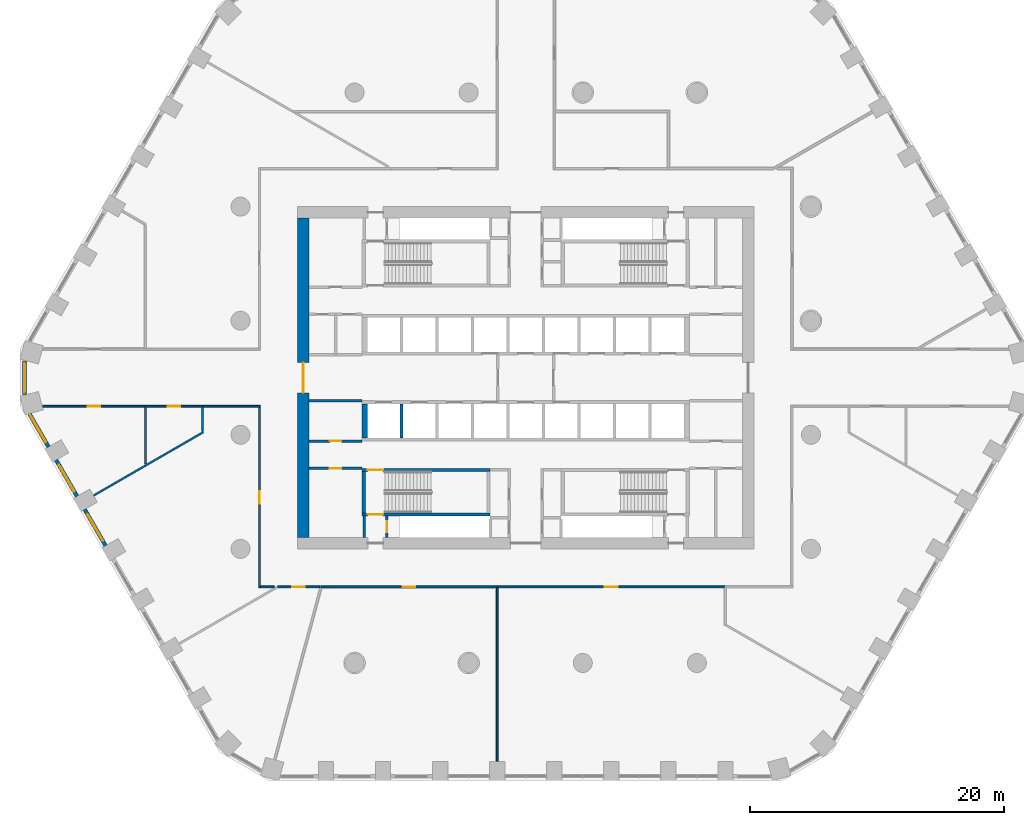
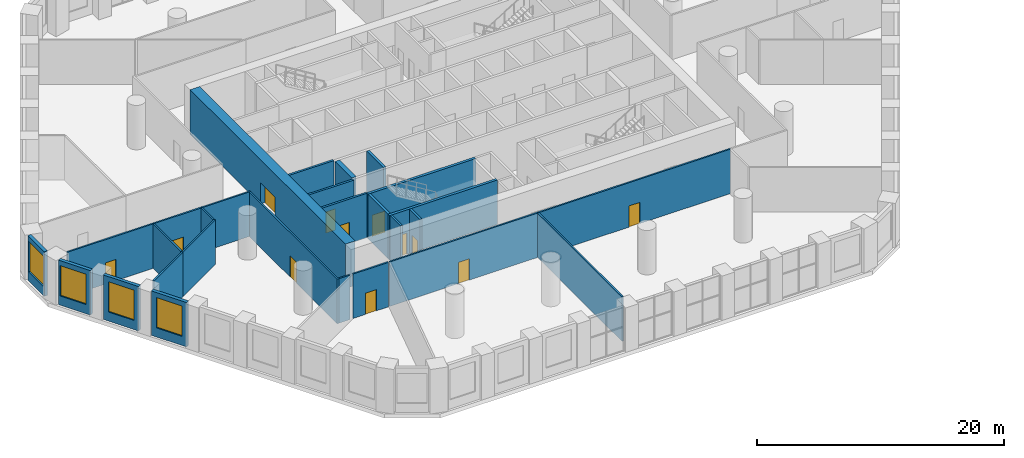
# One storey, part 7 of 26: 28 walls, 12 doors, 4 windows, 16 openings.
"""IFC4 building model written with IfcOpenShell, lengths in metres."""

from ifc_helpers import new_model, si_unit, direction, frame, frame_2d, origin, place, context, subcontext, project, spatial, polyline, rectangle, outline, extrude, material, layer, layer_set, type_object, element, fill, save


model = new_model("IFC4")

# Units and contexts
model_context = context("Model", 3, precision=1e-05, world=origin(), true_north=direction((0.0, 1.0)))
body_context = subcontext(model_context, "Body", "Model", "MODEL_VIEW")
ifc_project = project(units=[si_unit("LENGTHUNIT", "METRE"), si_unit("AREAUNIT", "SQUARE_METRE"), si_unit("VOLUMEUNIT", "CUBIC_METRE"), si_unit("PLANEANGLEUNIT", "RADIAN"), si_unit("MASSUNIT", "GRAM", prefix="KILO")], contexts=[model_context])

# Site, building, storey
site_placement = place(None, origin())
site = spatial("IfcSite", under=ifc_project, at=site_placement, CompositionType="ELEMENT")
building_placement = place(site_placement, origin())
building = spatial("IfcBuilding", under=site, at=building_placement, Name="Dhurran Vertical Campus", CompositionType="ELEMENT")
storey_placement = place(building_placement, frame((0.0, 0.0, 15.60009765625)))
storey = spatial("IfcBuildingStorey", under=building, at=storey_placement, Name="L03", CompositionType="ELEMENT", Elevation=15.60009765625)

# Wall, opening, window
ifc_material_1 = material(Name="Precast concrete C50/60", Category="concrete")
ifc_layer_1 = layer(ifc_material_1, 0.300048828125)
ifc_layer_set_1 = layer_set([ifc_layer_1], Name="Precast concrete C50/60")
wall_type_1 = type_object("IfcWallType", Name="Precast spandrel wall 300", PredefinedType="SOLIDWALL", material=ifc_layer_set_1)
wall_1_placement = place(storey_placement, frame((-39.547119140625, 1.33935546875, 0.0), z_axis=(0.0, 0.0, 1.0), x_axis=(0.0, -1.0, 0.0)))
wall_1 = element("IfcWall", 1, at=wall_1_placement, inside=storey, type_object=wall_type_1, Name="EW1 L03.43", PredefinedType="SOLIDWALL", context=body_context, shape_type="SweptSolid", body=[
    extrude(rectangle(XDim=2.6787109375, YDim=0.300048828125, at=frame_2d((1.33935546875, 0.0))), origin(), (0.0, 0.0, 1.0), 4.39990234375),
])
opening_1_placement = place(wall_1_placement, frame((0.139404296875, 0.0, 0.89990234375)))
opening_1 = element("IfcOpeningElement", 2, at=opening_1_placement, cuts=wall_1, Name="Opening WT2", PredefinedType="OPENING", context=body_context, shape_type="SweptSolid", body=[
    extrude(rectangle(XDim=2.39990234375, YDim=3.0, at=frame_2d((1.199951171875, 1.5))), frame((0.0, 0.159912109375, 0.0), z_axis=(0.0, -1.0, 0.0), x_axis=(1.0, 0.0, 0.0)), (0.0, 0.0, 1.0), 0.320068359375),
])
ifc_material_2 = material(Name="Aluminium frame with solar-control glass", Category="aluminium")
window_type = type_object("IfcWindowType", Name="Podium window 2400 x 3000", PartitioningType="SINGLE_PANEL", PredefinedType="WINDOW", material=ifc_material_2)
window_1_placement = place(opening_1_placement, origin())
window_1 = element("IfcWindow", 3, at=window_1_placement, inside=storey, type_object=window_type, Name="WT2 L03.43", OverallHeight=3.0, OverallWidth=2.39990234375, PartitioningType="SINGLE_PANEL", PredefinedType="WINDOW", context=body_context, shape_type="SweptSolid", body=[
    extrude(rectangle(XDim=2.39990234375, YDim=3.0, at=frame_2d((1.199951171875, 1.5))), frame((0.0, 0.030029296875, 0.0), z_axis=(0.0, -1.0, 0.0), x_axis=(1.0, 0.0, 0.0)), (0.0, 0.0, 1.0), 0.06005859375),
])
fill(opening_1, window_1)

wall_2_placement = place(storey_placement, frame((-39.138671875, -2.86376953125, 0.0), z_axis=(0.0, 0.0, 1.0), x_axis=(0.49999586137, -0.866027793211, 0.0)))
wall_2 = element("IfcWall", 4, at=wall_2_placement, inside=storey, type_object=wall_type_1, Name="EW1 L03.44", PredefinedType="SOLIDWALL", context=body_context, shape_type="SweptSolid", body=[
    extrude(rectangle(XDim=2.98876953125, YDim=0.300048828125, at=frame_2d((1.494384765625, 0.0))), origin(), (0.0, 0.0, 1.0), 4.39990234375),
])
opening_2_placement = place(wall_2_placement, frame((0.139404296875, 0.0, 0.89990234375)))
opening_2 = element("IfcOpeningElement", 5, at=opening_2_placement, cuts=wall_2, Name="Opening WT2", PredefinedType="OPENING", context=body_context, shape_type="SweptSolid", body=[
    extrude(rectangle(XDim=2.39990234375, YDim=3.0, at=frame_2d((1.199951171875, 1.5))), frame((0.0, 0.159912109375, 0.0), z_axis=(0.0, -1.0, 0.0), x_axis=(1.0, 0.0, 0.0)), (0.0, 0.0, 1.0), 0.320068359375),
])
window_2_placement = place(opening_2_placement, origin())
window_2 = element("IfcWindow", 6, at=window_2_placement, inside=storey, type_object=window_type, Name="WT2 L03.44", OverallHeight=3.0, OverallWidth=2.39990234375, PartitioningType="SINGLE_PANEL", PredefinedType="WINDOW", context=body_context, shape_type="SweptSolid", body=[
    extrude(rectangle(XDim=2.39990234375, YDim=3.0, at=frame_2d((1.199951171875, 1.5))), frame((0.0, 0.030029296875, 0.0), z_axis=(0.0, -1.0, 0.0), x_axis=(1.0, 0.0, 0.0)), (0.0, 0.0, 1.0), 0.06005859375),
])
fill(opening_2, window_2)

wall_3_placement = place(storey_placement, frame((-37.043701171875, -6.4921875, 0.0), z_axis=(0.0, 0.0, 1.0), x_axis=(0.499991515992, -0.866030301974, 0.0)))
wall_3 = element("IfcWall", 7, at=wall_3_placement, inside=storey, type_object=wall_type_1, Name="EW1 L03.45", PredefinedType="SOLIDWALL", context=body_context, shape_type="SweptSolid", body=[
    extrude(rectangle(XDim=3.298828125, YDim=0.300048828125, at=frame_2d((1.6494140625, 0.0))), origin(), (0.0, 0.0, 1.0), 4.39990234375),
])
opening_3_placement = place(wall_3_placement, frame((0.449462890625, 0.0, 0.89990234375)))
opening_3 = element("IfcOpeningElement", 8, at=opening_3_placement, cuts=wall_3, Name="Opening WT2", PredefinedType="OPENING", context=body_context, shape_type="SweptSolid", body=[
    extrude(rectangle(XDim=2.39990234375, YDim=3.0, at=frame_2d((1.199951171875, 1.5))), frame((0.0, 0.159912109375, 0.0), z_axis=(0.0, -1.0, 0.0), x_axis=(1.0, 0.0, 0.0)), (0.0, 0.0, 1.0), 0.320068359375),
])
window_3_placement = place(opening_3_placement, origin())
window_3 = element("IfcWindow", 9, at=window_3_placement, inside=storey, type_object=window_type, Name="WT2 L03.45", OverallHeight=3.0, OverallWidth=2.39990234375, PartitioningType="SINGLE_PANEL", PredefinedType="WINDOW", context=body_context, shape_type="SweptSolid", body=[
    extrude(rectangle(XDim=2.39990234375, YDim=3.0, at=frame_2d((1.199951171875, 1.5))), frame((0.0, 0.030029296875, 0.0), z_axis=(0.0, -1.0, 0.0), x_axis=(1.0, 0.0, 0.0)), (0.0, 0.0, 1.0), 0.06005859375),
])
fill(opening_3, window_3)

wall_4_placement = place(storey_placement, frame((-34.793701171875, -10.389404296875, 0.0), z_axis=(0.0, 0.0, 1.0), x_axis=(0.499991515992, -0.866030301974, 0.0)))
wall_4 = element("IfcWall", 10, at=wall_4_placement, inside=storey, type_object=wall_type_1, Name="EW1 L03.46", PredefinedType="SOLIDWALL", context=body_context, shape_type="SweptSolid", body=[
    extrude(rectangle(XDim=3.298828125, YDim=0.300048828125, at=frame_2d((1.6494140625, 0.0))), origin(), (0.0, 0.0, 1.0), 4.39990234375),
])
opening_4_placement = place(wall_4_placement, frame((0.449462890625, 0.0, 0.89990234375)))
opening_4 = element("IfcOpeningElement", 11, at=opening_4_placement, cuts=wall_4, Name="Opening WT2", PredefinedType="OPENING", context=body_context, shape_type="SweptSolid", body=[
    extrude(rectangle(XDim=2.39990234375, YDim=3.0, at=frame_2d((1.199951171875, 1.5))), frame((0.0, 0.159912109375, 0.0), z_axis=(0.0, -1.0, 0.0), x_axis=(1.0, 0.0, 0.0)), (0.0, 0.0, 1.0), 0.320068359375),
])
window_4_placement = place(opening_4_placement, origin())
window_4 = element("IfcWindow", 12, at=window_4_placement, inside=storey, type_object=window_type, Name="WT2 L03.46", OverallHeight=3.0, OverallWidth=2.39990234375, PartitioningType="SINGLE_PANEL", PredefinedType="WINDOW", context=body_context, shape_type="SweptSolid", body=[
    extrude(rectangle(XDim=2.39990234375, YDim=3.0, at=frame_2d((1.199951171875, 1.5))), frame((0.0, 0.030029296875, 0.0), z_axis=(0.0, -1.0, 0.0), x_axis=(1.0, 0.0, 0.0)), (0.0, 0.0, 1.0), 0.06005859375),
])
fill(opening_4, window_4)

# Wall, opening, door
ifc_material_3 = material(Name="Concrete C60/75", Category="concrete")
ifc_layer_2 = layer(ifc_material_3, 0.89990234375)
ifc_layer_set_2 = layer_set([ifc_layer_2], Name="Concrete C60/75")
wall_type_2 = type_object("IfcWallType", Name="co-CORE-WALL-C0-900", PredefinedType="SHEAR", material=ifc_layer_set_2)
wall_5_placement = place(storey_placement, frame((-17.550048828125, -12.60009765625, 0.0), z_axis=(0.0, 0.0, 1.0), x_axis=(0.0, 1.0, 0.0)))
wall_5 = element("IfcWall", 13, at=wall_5_placement, inside=storey, type_object=wall_type_2, Name="Core wall W L03", PredefinedType="SHEAR", context=body_context, shape_type="SweptSolid", body=[
    extrude(rectangle(XDim=25.2001953125, YDim=0.89990234375, at=frame_2d((12.60009765625, 0.0))), origin(), (0.0, 0.0, 1.0), 4.39990234375),
])
opening_5_placement = place(wall_5_placement, frame((11.39990234375, 0.0, 0.0)))
opening_5 = element("IfcOpeningElement", 14, at=opening_5_placement, cuts=wall_5, Name="Opening CL1", PredefinedType="OPENING", context=body_context, shape_type="SweptSolid", body=[
    extrude(rectangle(XDim=2.39990234375, YDim=2.10009765625, at=frame_2d((1.199951171875, 1.050048828125))), frame((0.0, 0.4599609375, 0.0), z_axis=(0.0, -1.0, 0.0), x_axis=(1.0, 0.0, 0.0)), (0.0, 0.0, 1.0), 0.919921875),
])
ifc_material_4 = material(Name="Fire-rated glazed door set")
door_type_1 = type_object("IfcDoorType", Name="co-D-LOBBY 2400x2100", OperationType="DOUBLE_DOOR_DOUBLE_SWING", PredefinedType="DOOR", material=ifc_material_4)
door_1_placement = place(opening_5_placement, origin())
door_1 = element("IfcDoor", 15, at=door_1_placement, inside=storey, type_object=door_type_1, Name="Lift lobby door W L03", OperationType="DOUBLE_DOOR_DOUBLE_SWING", OverallHeight=2.10009765625, OverallWidth=2.39990234375, PredefinedType="DOOR", context=body_context, shape_type="SweptSolid", body=[
    extrude(rectangle(XDim=2.39990234375, YDim=2.10009765625, at=frame_2d((1.199951171875, 1.050048828125))), frame((0.0, 0.02490234375, 0.0), z_axis=(0.0, -1.0, 0.0), x_axis=(1.0, 0.0, 0.0)), (0.0, 0.0, 1.0), 0.050048828125),
])
fill(opening_5, door_1)

# Wall
ifc_material_5 = material(Name="Fire-rated masonry blockwork", Category="masonry")
ifc_layer_3 = layer(ifc_material_5, 0.199951171875)
ifc_layer_set_3 = layer_set([ifc_layer_3], Name="Fire-rated masonry blockwork")
wall_type_3 = type_object("IfcWallType", Name="co-FIRE-PARTITION-200", PredefinedType="PARTITIONING", material=ifc_layer_set_3)
wall_6_placement = place(storey_placement, frame((-12.75, -12.60009765625, 0.0), z_axis=(0.0, 0.0, 1.0), x_axis=(0.0, 1.0, 0.0)))
element("IfcWall", 16, at=wall_6_placement, inside=storey, type_object=wall_type_3, Name="Core partition pass-ST3-o L03", PredefinedType="PARTITIONING", context=body_context, shape_type="SweptSolid", body=[
    extrude(rectangle(XDim=1.7001953125, YDim=0.199951171875, at=frame_2d((0.85009765625, 0.0))), origin(), (0.0, 0.0, 1.0), 4.39990234375),
])

# Wall, opening, door
wall_7_placement = place(storey_placement, frame((-10.949951171875, -12.60009765625, 0.0), z_axis=(0.0, 0.0, 1.0), x_axis=(0.0, 1.0, 0.0)))
wall_7 = element("IfcWall", 17, at=wall_7_placement, inside=storey, type_object=wall_type_3, Name="Core partition pass-ST3-i L03", PredefinedType="PARTITIONING", context=body_context, shape_type="SweptSolid", body=[
    extrude(rectangle(XDim=1.7001953125, YDim=0.199951171875, at=frame_2d((0.85009765625, 0.0))), origin(), (0.0, 0.0, 1.0), 4.39990234375),
])
opening_6_placement = place(wall_7_placement, frame((0.39990234375, 0.0, 0.0)))
opening_6 = element("IfcOpeningElement", 18, at=opening_6_placement, cuts=wall_7, Name="Opening PD03-C12", PredefinedType="OPENING", context=body_context, shape_type="SweptSolid", body=[
    extrude(rectangle(XDim=0.89990234375, YDim=2.10009765625, at=frame_2d((0.449951171875, 1.050048828125))), frame((0.0, 0.10986328125, 0.0), z_axis=(0.0, -1.0, 0.0), x_axis=(1.0, 0.0, 0.0)), (0.0, 0.0, 1.0), 0.219970703125),
])
ifc_material_6 = material(Name="Fire-rated timber door set", Category="wood")
door_type_2 = type_object("IfcDoorType", Name="co-D-ROOM 900x2100", OperationType="SINGLE_SWING_LEFT", PredefinedType="DOOR", material=ifc_material_6)
door_2_placement = place(opening_6_placement, origin())
door_2 = element("IfcDoor", 19, at=door_2_placement, inside=storey, type_object=door_type_2, Name="Riser room door L03", OperationType="SINGLE_SWING_LEFT", OverallHeight=2.10009765625, OverallWidth=0.89990234375, PredefinedType="DOOR", context=body_context, shape_type="SweptSolid", body=[
    extrude(rectangle(XDim=0.89990234375, YDim=2.10009765625, at=frame_2d((0.449951171875, 1.050048828125))), frame((0.0, 0.02490234375, 0.0), z_axis=(0.0, -1.0, 0.0), x_axis=(1.0, 0.0, 0.0)), (0.0, 0.0, 1.0), 0.050048828125),
])
fill(opening_6, door_2)

wall_8_placement = place(storey_placement, frame((-17.10009765625, -7.14990234375, 0.0), z_axis=(0.0, 0.0, 1.0), x_axis=(1.0, 0.0, 0.0)))
wall_8 = element("IfcWall", 20, at=wall_8_placement, inside=storey, type_object=wall_type_3, Name="Core partition en-SW-w L03", PredefinedType="PARTITIONING", context=body_context, shape_type="SweptSolid", body=[
    extrude(rectangle(XDim=4.2001953125, YDim=0.199951171875, at=frame_2d((2.10009765625, 0.0))), origin(), (0.0, 0.0, 1.0), 4.39990234375),
])
opening_7_placement = place(wall_8_placement, frame((1.64990234375, 0.0, 0.0)))
opening_7 = element("IfcOpeningElement", 21, at=opening_7_placement, cuts=wall_8, Name="Opening PD03-C20", PredefinedType="OPENING", context=body_context, shape_type="SweptSolid", body=[
    extrude(rectangle(XDim=0.89990234375, YDim=2.10009765625, at=frame_2d((0.449951171875, 1.050048828125))), frame((0.0, 0.10986328125, 0.0), z_axis=(0.0, -1.0, 0.0), x_axis=(1.0, 0.0, 0.0)), (0.0, 0.0, 1.0), 0.219970703125),
])
door_3_placement = place(opening_7_placement, origin())
door_3 = element("IfcDoor", 22, at=door_3_placement, inside=storey, type_object=door_type_2, Name="Plant room door L03", OperationType="SINGLE_SWING_LEFT", OverallHeight=2.10009765625, OverallWidth=0.89990234375, PredefinedType="DOOR", context=body_context, shape_type="SweptSolid", body=[
    extrude(rectangle(XDim=0.89990234375, YDim=2.10009765625, at=frame_2d((0.449951171875, 1.050048828125))), frame((0.0, 0.02490234375, 0.0), z_axis=(0.0, -1.0, 0.0), x_axis=(1.0, 0.0, 0.0)), (0.0, 0.0, 1.0), 0.050048828125),
])
fill(opening_7, door_3)

wall_9_placement = place(storey_placement, frame((-17.10009765625, -5.0, 0.0), z_axis=(0.0, 0.0, 1.0), x_axis=(1.0, 0.0, 0.0)))
wall_9 = element("IfcWall", 23, at=wall_9_placement, inside=storey, type_object=wall_type_3, Name="Core partition es-SW-w L03", PredefinedType="PARTITIONING", context=body_context, shape_type="SweptSolid", body=[
    extrude(rectangle(XDim=4.2001953125, YDim=0.199951171875, at=frame_2d((2.10009765625, 0.0))), origin(), (0.0, 0.0, 1.0), 4.39990234375),
])
opening_8_placement = place(wall_9_placement, frame((1.64990234375, 0.0, 0.0)))
opening_8 = element("IfcOpeningElement", 24, at=opening_8_placement, cuts=wall_9, Name="Opening PD03-C21", PredefinedType="OPENING", context=body_context, shape_type="SweptSolid", body=[
    extrude(rectangle(XDim=0.89990234375, YDim=2.10009765625, at=frame_2d((0.449951171875, 1.050048828125))), frame((0.0, 0.10986328125, 0.0), z_axis=(0.0, -1.0, 0.0), x_axis=(1.0, 0.0, 0.0)), (0.0, 0.0, 1.0), 0.219970703125),
])
door_4_placement = place(opening_8_placement, origin())
door_4 = element("IfcDoor", 25, at=door_4_placement, inside=storey, type_object=door_type_2, Name="Water riser door L03", OperationType="SINGLE_SWING_LEFT", OverallHeight=2.10009765625, OverallWidth=0.89990234375, PredefinedType="DOOR", context=body_context, shape_type="SweptSolid", body=[
    extrude(rectangle(XDim=0.89990234375, YDim=2.10009765625, at=frame_2d((0.449951171875, 1.050048828125))), frame((0.0, 0.02490234375, 0.0), z_axis=(0.0, -1.0, 0.0), x_axis=(1.0, 0.0, 0.0)), (0.0, 0.0, 1.0), 0.050048828125),
])
fill(opening_8, door_4)

# Walls
wall_10_placement = place(storey_placement, frame((-17.10009765625, -1.800048828125, 0.0), z_axis=(0.0, 0.0, 1.0), x_axis=(1.0, 0.0, 0.0)))
element("IfcWall", 26, at=wall_10_placement, inside=storey, type_object=wall_type_3, Name="Core partition es-SW-l L03", PredefinedType="PARTITIONING", context=body_context, shape_type="SweptSolid", body=[
    extrude(rectangle(XDim=4.2001953125, YDim=0.199951171875, at=frame_2d((2.10009765625, 0.0))), origin(), (0.0, 0.0, 1.0), 4.39990234375),
])
ifc_material_7 = material(Name="Concrete C50/60", Category="concrete")
ifc_layer_4 = layer(ifc_material_7, 0.25)
ifc_layer_set_4 = layer_set([ifc_layer_4], Name="Concrete C50/60")
wall_type_4 = type_object("IfcWallType", Name="co-SHAFT-MASS-250", PredefinedType="SHEAR", material=ifc_layer_set_4)
wall_11_placement = place(storey_placement, origin())
element("IfcWall", 27, at=wall_11_placement, inside=storey, type_object=wall_type_4, Name="Lift shaft wall S L03 2", PredefinedType="SHEAR", context=body_context, shape_type="SweptSolid", body=[
    extrude(outline(polyline([(-12.89990234375, -4.75), (-12.47509765625, -4.75), (-12.47509765625, -2.050048828125), (-12.89990234375, -2.050048828125), (-12.89990234375, -4.75)])), origin(), (0.0, 0.0, 1.0), 4.39990234375),
])
wall_12_placement = place(storey_placement, origin())
element("IfcWall", 28, at=wall_12_placement, inside=storey, type_object=wall_type_4, Name="Lift shaft wall S L03 3", PredefinedType="SHEAR", context=body_context, shape_type="SweptSolid", body=[
    extrude(outline(polyline([(-9.925048828125, -4.75), (-9.675048828125, -4.75), (-9.675048828125, -2.050048828125), (-9.925048828125, -2.050048828125), (-9.925048828125, -4.75)])), origin(), (0.0, 0.0, 1.0), 4.39990234375),
])

# Wall, opening, door
ifc_material_8 = material(Name="Concrete C40/50", Category="concrete")
ifc_layer_5 = layer(ifc_material_8, 0.25)
ifc_layer_set_5 = layer_set([ifc_layer_5], Name="Concrete C40/50")
wall_type_5 = type_object("IfcWallType", Name="co-STAIR-WALL-250", PredefinedType="SHEAR", material=ifc_layer_set_5)
wall_13_placement = place(storey_placement, frame((-12.89990234375, -10.77490234375, 0.0), z_axis=(0.0, 0.0, 1.0), x_axis=(1.0, 0.0, 0.0)))
wall_13 = element("IfcWall", 29, at=wall_13_placement, inside=storey, type_object=wall_type_5, Name="Stair ST3 enclosure wall L03", PredefinedType="SHEAR", context=body_context, shape_type="SweptSolid", body=[
    extrude(rectangle(XDim=10.099853515625, YDim=0.25, at=frame_2d((5.0498046875, 0.0))), origin(), (0.0, 0.0, 1.0), 4.39990234375),
])
opening_9_placement = place(wall_13_placement, frame((0.449951171875, 0.0, 0.0)))
opening_9 = element("IfcOpeningElement", 30, at=opening_9_placement, cuts=wall_13, Name="Opening XS3", PredefinedType="OPENING", context=body_context, shape_type="SweptSolid", body=[
    extrude(rectangle(XDim=1.199951171875, YDim=2.10009765625, at=frame_2d((0.60009765625, 1.050048828125))), frame((0.0, 0.135009765625, 0.0), z_axis=(0.0, -1.0, 0.0), x_axis=(1.0, 0.0, 0.0)), (0.0, 0.0, 1.0), 0.27001953125),
])
ifc_material_9 = material(Name="Fire-rated steel door set", Category="steel")
door_type_3 = type_object("IfcDoorType", Name="co-D-STAIR-EXIT 1200x2100", OperationType="SINGLE_SWING_RIGHT", PredefinedType="DOOR", material=ifc_material_9)
door_5_placement = place(opening_9_placement, origin())
door_5 = element("IfcDoor", 31, at=door_5_placement, inside=storey, type_object=door_type_3, Name="Stair ST3 discharge door L03", OperationType="SINGLE_SWING_RIGHT", OverallHeight=2.10009765625, OverallWidth=1.199951171875, PredefinedType="DOOR", context=body_context, shape_type="SweptSolid", body=[
    extrude(rectangle(XDim=1.199951171875, YDim=2.10009765625, at=frame_2d((0.60009765625, 1.050048828125))), frame((0.0, 0.02490234375, 0.0), z_axis=(0.0, -1.0, 0.0), x_axis=(1.0, 0.0, 0.0)), (0.0, 0.0, 1.0), 0.050048828125),
])
fill(opening_9, door_5)

wall_14_placement = place(storey_placement, frame((-12.89990234375, -7.27490234375, 0.0), z_axis=(0.0, 0.0, 1.0), x_axis=(1.0, 0.0, 0.0)))
wall_14 = element("IfcWall", 32, at=wall_14_placement, inside=storey, type_object=wall_type_5, Name="Stair ST3 enclosure wall L03", PredefinedType="SHEAR", context=body_context, shape_type="SweptSolid", body=[
    extrude(rectangle(XDim=10.099853515625, YDim=0.25, at=frame_2d((5.0498046875, 0.0))), origin(), (0.0, 0.0, 1.0), 4.39990234375),
])
opening_10_placement = place(wall_14_placement, frame((0.449951171875, 0.0, 0.0)))
opening_10 = element("IfcOpeningElement", 33, at=opening_10_placement, cuts=wall_14, Name="Opening SD3", PredefinedType="OPENING", context=body_context, shape_type="SweptSolid", body=[
    extrude(rectangle(XDim=1.199951171875, YDim=2.10009765625, at=frame_2d((0.60009765625, 1.050048828125))), frame((0.0, 0.135009765625, 0.0), z_axis=(0.0, -1.0, 0.0), x_axis=(1.0, 0.0, 0.0)), (0.0, 0.0, 1.0), 0.27001953125),
])
ifc_material_10 = material(Name="Fire-rated steel door set", Category="steel")
door_type_4 = type_object("IfcDoorType", Name="co-D-STAIR 1200x2100", OperationType="SINGLE_SWING_LEFT", PredefinedType="DOOR", material=ifc_material_10)
door_6_placement = place(opening_10_placement, origin())
door_6 = element("IfcDoor", 34, at=door_6_placement, inside=storey, type_object=door_type_4, Name="Stair ST3 door L03", OperationType="SINGLE_SWING_LEFT", OverallHeight=2.10009765625, OverallWidth=1.199951171875, PredefinedType="DOOR", context=body_context, shape_type="SweptSolid", body=[
    extrude(rectangle(XDim=1.199951171875, YDim=2.10009765625, at=frame_2d((0.60009765625, 1.050048828125))), frame((0.0, 0.02490234375, 0.0), z_axis=(0.0, -1.0, 0.0), x_axis=(1.0, 0.0, 0.0)), (0.0, 0.0, 1.0), 0.050048828125),
])
fill(opening_10, door_6)

# Wall
wall_15_placement = place(storey_placement, frame((-12.77490234375, -10.64990234375, 0.0), z_axis=(0.0, 0.0, 1.0), x_axis=(0.0, 1.0, 0.0)))
element("IfcWall", 35, at=wall_15_placement, inside=storey, type_object=wall_type_5, Name="Stair ST3 enclosure wall L03", PredefinedType="SHEAR", context=body_context, shape_type="SweptSolid", body=[
    extrude(rectangle(XDim=3.25, YDim=0.25, at=frame_2d((1.625, 0.0))), origin(), (0.0, 0.0, 1.0), 4.39990234375),
])

# Wall, opening, door
ifc_material_11 = material(Name="Gypsum board corridor wall on steel studs", Category="steel")
ifc_layer_6 = layer(ifc_material_11, 0.14990234375)
ifc_layer_set_6 = layer_set([ifc_layer_6], Name="Gypsum board corridor wall on steel studs")
wall_type_6 = type_object("IfcWallType", Name="fl-CW-150 corridor wall", PredefinedType="PARTITIONING", material=ifc_layer_set_6)
wall_16_placement = place(storey_placement, frame((-30.0, -2.25, 0.0), z_axis=(0.0, 0.0, 1.0), x_axis=(-1.0, 0.0, 0.0)))
wall_16 = element("IfcWall", 36, at=wall_16_placement, inside=storey, type_object=wall_type_6, Name="Partition 03-01", PredefinedType="PARTITIONING", context=body_context, shape_type="SweptSolid", body=[
    extrude(rectangle(XDim=8.115478515625, YDim=0.14990234375, at=frame_2d((4.0576171875, 0.0))), origin(), (0.0, 0.0, 1.0), 4.39990234375),
])
opening_11_placement = place(wall_16_placement, frame((3.5576171875, 0.0, 0.0)))
opening_11 = element("IfcOpeningElement", 37, at=opening_11_placement, cuts=wall_16, Name="Opening PD03.01", PredefinedType="OPENING", context=body_context, shape_type="SweptSolid", body=[
    extrude(rectangle(XDim=1.0, YDim=2.10009765625, at=frame_2d((0.5, 1.050048828125))), frame((0.0, 0.0849609375, 0.0), z_axis=(0.0, -1.0, 0.0), x_axis=(1.0, 0.0, 0.0)), (0.0, 0.0, 1.0), 0.169921875),
])
ifc_material_12 = material(Name="Solid-core timber door set, fire-rated", Category="wood")
door_type_5 = type_object("IfcDoorType", Name="fl-D-1000x2100", OperationType="SINGLE_SWING_LEFT", PredefinedType="DOOR", material=ifc_material_12)
door_7_placement = place(opening_11_placement, origin())
door_7 = element("IfcDoor", 38, at=door_7_placement, inside=storey, type_object=door_type_5, Name="Door 03.01", OperationType="SINGLE_SWING_RIGHT", OverallHeight=2.10009765625, OverallWidth=1.0, PredefinedType="DOOR", context=body_context, shape_type="SweptSolid", body=[
    extrude(rectangle(XDim=1.0, YDim=2.10009765625, at=frame_2d((0.5, 1.050048828125))), frame((0.0, 0.02490234375, 0.0), z_axis=(0.0, -1.0, 0.0), x_axis=(1.0, 0.0, 0.0)), (0.0, 0.0, 1.0), 0.050048828125),
])
fill(opening_11, door_7)

wall_17_placement = place(storey_placement, frame((-25.5, -2.25, 0.0), z_axis=(0.0, 0.0, 1.0), x_axis=(-1.0, 0.0, 0.0)))
wall_17 = element("IfcWall", 39, at=wall_17_placement, inside=storey, type_object=wall_type_6, Name="Partition 03-07", PredefinedType="PARTITIONING", context=body_context, shape_type="SweptSolid", body=[
    extrude(rectangle(XDim=4.5, YDim=0.14990234375, at=frame_2d((2.25, 0.0))), origin(), (0.0, 0.0, 1.0), 4.39990234375),
])
opening_12_placement = place(wall_17_placement, frame((1.75, 0.0, 0.0)))
opening_12 = element("IfcOpeningElement", 40, at=opening_12_placement, cuts=wall_17, Name="Opening PD03.03", PredefinedType="OPENING", context=body_context, shape_type="SweptSolid", body=[
    extrude(rectangle(XDim=1.0, YDim=2.10009765625, at=frame_2d((0.5, 1.050048828125))), frame((0.0, 0.0849609375, 0.0), z_axis=(0.0, -1.0, 0.0), x_axis=(1.0, 0.0, 0.0)), (0.0, 0.0, 1.0), 0.169921875),
])
door_8_placement = place(opening_12_placement, origin())
door_8 = element("IfcDoor", 41, at=door_8_placement, inside=storey, type_object=door_type_5, Name="Door 03.03", OperationType="SINGLE_SWING_RIGHT", OverallHeight=2.10009765625, OverallWidth=1.0, PredefinedType="DOOR", context=body_context, shape_type="SweptSolid", body=[
    extrude(rectangle(XDim=1.0, YDim=2.10009765625, at=frame_2d((0.5, 1.050048828125))), frame((0.0, 0.02490234375, 0.0), z_axis=(0.0, -1.0, 0.0), x_axis=(1.0, 0.0, 0.0)), (0.0, 0.0, 1.0), 0.050048828125),
])
fill(opening_12, door_8)

# Wall
wall_18_placement = place(storey_placement, frame((-20.925048828125, -2.25, 0.0), z_axis=(0.0, 0.0, 1.0), x_axis=(-1.0, 0.0, 0.0)))
element("IfcWall", 42, at=wall_18_placement, inside=storey, type_object=wall_type_6, Name="Partition 03-13", PredefinedType="PARTITIONING", context=body_context, shape_type="SweptSolid", body=[
    extrude(rectangle(XDim=4.574951171875, YDim=0.14990234375, at=frame_2d((2.28759765625, 0.0))), origin(), (0.0, 0.0, 1.0), 4.39990234375),
])

# Wall, opening, door
wall_19_placement = place(storey_placement, frame((-21.0, -2.324951171875, 0.0), z_axis=(0.0, 0.0, 1.0), x_axis=(0.0, -1.0, 0.0)))
wall_19 = element("IfcWall", 43, at=wall_19_placement, inside=storey, type_object=wall_type_6, Name="Partition 03-14", PredefinedType="PARTITIONING", context=body_context, shape_type="SweptSolid", body=[
    extrude(rectangle(XDim=14.25, YDim=0.14990234375, at=frame_2d((7.125, 0.0))), origin(), (0.0, 0.0, 1.0), 4.39990234375),
])
opening_13_placement = place(wall_19_placement, frame((6.625, 0.0, 0.0)))
opening_13 = element("IfcOpeningElement", 44, at=opening_13_placement, cuts=wall_19, Name="Opening PD03.04", PredefinedType="OPENING", context=body_context, shape_type="SweptSolid", body=[
    extrude(rectangle(XDim=1.0, YDim=2.10009765625, at=frame_2d((0.5, 1.050048828125))), frame((0.0, 0.0849609375, 0.0), z_axis=(0.0, -1.0, 0.0), x_axis=(1.0, 0.0, 0.0)), (0.0, 0.0, 1.0), 0.169921875),
])
door_9_placement = place(opening_13_placement, origin())
door_9 = element("IfcDoor", 45, at=door_9_placement, inside=storey, type_object=door_type_5, Name="Door 03.04", OperationType="SINGLE_SWING_LEFT", OverallHeight=2.10009765625, OverallWidth=1.0, PredefinedType="DOOR", context=body_context, shape_type="SweptSolid", body=[
    extrude(rectangle(XDim=1.0, YDim=2.10009765625, at=frame_2d((0.5, 1.050048828125))), frame((0.0, 0.02490234375, 0.0), z_axis=(0.0, -1.0, 0.0), x_axis=(1.0, 0.0, 0.0)), (0.0, 0.0, 1.0), 0.050048828125),
])
fill(opening_13, door_9)

# Wall
wall_20_placement = place(storey_placement, frame((-20.925048828125, -16.5, 0.0), z_axis=(0.0, 0.0, 1.0), x_axis=(1.0, 0.0, 0.0)))
element("IfcWall", 46, at=wall_20_placement, inside=storey, type_object=wall_type_6, Name="Partition 03-15", PredefinedType="PARTITIONING", context=body_context, shape_type="SweptSolid", body=[
    extrude(rectangle(XDim=1.071044921875, YDim=0.14990234375, at=frame_2d((0.53564453125, 0.0))), origin(), (0.0, 0.0, 1.0), 4.39990234375),
])

# Wall, opening, door
wall_21_placement = place(storey_placement, frame((-19.5791015625, -16.5, 0.0), z_axis=(0.0, 0.0, 1.0), x_axis=(1.0, 0.0, 0.0)))
wall_21 = element("IfcWall", 47, at=wall_21_placement, inside=storey, type_object=wall_type_6, Name="Partition 03-19", PredefinedType="PARTITIONING", context=body_context, shape_type="SweptSolid", body=[
    extrude(rectangle(XDim=3.328125, YDim=0.14990234375, at=frame_2d((1.6640625, 0.0))), origin(), (0.0, 0.0, 1.0), 4.39990234375),
])
opening_14_placement = place(wall_21_placement, frame((1.1640625, 0.0, 0.0)))
opening_14 = element("IfcOpeningElement", 48, at=opening_14_placement, cuts=wall_21, Name="Opening PD03.06", PredefinedType="OPENING", context=body_context, shape_type="SweptSolid", body=[
    extrude(rectangle(XDim=1.0, YDim=2.10009765625, at=frame_2d((0.5, 1.050048828125))), frame((0.0, 0.0849609375, 0.0), z_axis=(0.0, -1.0, 0.0), x_axis=(1.0, 0.0, 0.0)), (0.0, 0.0, 1.0), 0.169921875),
])
door_10_placement = place(opening_14_placement, origin())
door_10 = element("IfcDoor", 49, at=door_10_placement, inside=storey, type_object=door_type_5, Name="Door 03.06", OperationType="SINGLE_SWING_RIGHT", OverallHeight=2.10009765625, OverallWidth=1.0, PredefinedType="DOOR", context=body_context, shape_type="SweptSolid", body=[
    extrude(rectangle(XDim=1.0, YDim=2.10009765625, at=frame_2d((0.5, 1.050048828125))), frame((0.0, 0.02490234375, 0.0), z_axis=(0.0, -1.0, 0.0), x_axis=(1.0, 0.0, 0.0)), (0.0, 0.0, 1.0), 0.050048828125),
])
fill(opening_14, door_10)

wall_22_placement = place(storey_placement, frame((-16.156005859375, -16.5, 0.0), z_axis=(0.0, 0.0, 1.0), x_axis=(1.0, 0.0, 0.0)))
wall_22 = element("IfcWall", 50, at=wall_22_placement, inside=storey, type_object=wall_type_6, Name="Partition 03-22", PredefinedType="PARTITIONING", context=body_context, shape_type="SweptSolid", body=[
    extrude(rectangle(XDim=13.906005859375, YDim=0.14990234375, at=frame_2d((6.953125, 0.0))), origin(), (0.0, 0.0, 1.0), 4.39990234375),
])
opening_15_placement = place(wall_22_placement, frame((6.452880859375, 0.0, 0.0)))
opening_15 = element("IfcOpeningElement", 51, at=opening_15_placement, cuts=wall_22, Name="Opening PD03.08", PredefinedType="OPENING", context=body_context, shape_type="SweptSolid", body=[
    extrude(rectangle(XDim=1.0, YDim=2.10009765625, at=frame_2d((0.5, 1.050048828125))), frame((0.0, 0.0849609375, 0.0), z_axis=(0.0, -1.0, 0.0), x_axis=(1.0, 0.0, 0.0)), (0.0, 0.0, 1.0), 0.169921875),
])
door_11_placement = place(opening_15_placement, origin())
door_11 = element("IfcDoor", 52, at=door_11_placement, inside=storey, type_object=door_type_5, Name="Door 03.08", OperationType="SINGLE_SWING_RIGHT", OverallHeight=2.10009765625, OverallWidth=1.0, PredefinedType="DOOR", context=body_context, shape_type="SweptSolid", body=[
    extrude(rectangle(XDim=1.0, YDim=2.10009765625, at=frame_2d((0.5, 1.050048828125))), frame((0.0, 0.02490234375, 0.0), z_axis=(0.0, -1.0, 0.0), x_axis=(1.0, 0.0, 0.0)), (0.0, 0.0, 1.0), 0.050048828125),
])
fill(opening_15, door_11)

wall_23_placement = place(storey_placement, frame((-2.25, -16.5, 0.0), z_axis=(0.0, 0.0, 1.0), x_axis=(1.0, 0.0, 0.0)))
wall_23 = element("IfcWall", 53, at=wall_23_placement, inside=storey, type_object=wall_type_6, Name="Partition 03-25", PredefinedType="PARTITIONING", context=body_context, shape_type="SweptSolid", body=[
    extrude(rectangle(XDim=18.0, YDim=0.14990234375, at=frame_2d((9.0, 0.0))), origin(), (0.0, 0.0, 1.0), 4.39990234375),
])
opening_16_placement = place(wall_23_placement, frame((8.5, 0.0, 0.0)))
opening_16 = element("IfcOpeningElement", 54, at=opening_16_placement, cuts=wall_23, Name="Opening PD03.11", PredefinedType="OPENING", context=body_context, shape_type="SweptSolid", body=[
    extrude(rectangle(XDim=1.0, YDim=2.10009765625, at=frame_2d((0.5, 1.050048828125))), frame((0.0, 0.0849609375, 0.0), z_axis=(0.0, -1.0, 0.0), x_axis=(1.0, 0.0, 0.0)), (0.0, 0.0, 1.0), 0.169921875),
])
door_12_placement = place(opening_16_placement, origin())
door_12 = element("IfcDoor", 55, at=door_12_placement, inside=storey, type_object=door_type_5, Name="Door 03.11", OperationType="SINGLE_SWING_RIGHT", OverallHeight=2.10009765625, OverallWidth=1.0, PredefinedType="DOOR", context=body_context, shape_type="SweptSolid", body=[
    extrude(rectangle(XDim=1.0, YDim=2.10009765625, at=frame_2d((0.5, 1.050048828125))), frame((0.0, 0.02490234375, 0.0), z_axis=(0.0, -1.0, 0.0), x_axis=(1.0, 0.0, 0.0)), (0.0, 0.0, 1.0), 0.050048828125),
])
fill(opening_16, door_12)

# Walls
ifc_material_13 = material(Name="Gypsum board partition on steel studs", Category="steel")
ifc_layer_7 = layer(ifc_material_13, 0.14990234375)
ifc_layer_set_7 = layer_set([ifc_layer_7], Name="Gypsum board partition on steel studs")
wall_type_7 = type_object("IfcWallType", Name="fl-PW-150 fixed partition", PredefinedType="PARTITIONING", material=ifc_layer_set_7)
wall_24_placement = place(storey_placement, frame((-30.0, -6.927978515625, 0.0), z_axis=(0.0, 0.0, 1.0), x_axis=(-0.86601216145, -0.500022935695, 0.0)))
element("IfcWall", 56, at=wall_24_placement, inside=storey, type_object=wall_type_7, Name="Partition 03-03", PredefinedType="PARTITIONING", context=body_context, shape_type="SweptSolid", body=[
    extrude(rectangle(XDim=4.712158203125, YDim=0.14990234375, at=frame_2d((2.35595703125, 0.0))), origin(), (0.0, 0.0, 1.0), 4.39990234375),
])
wall_25_placement = place(storey_placement, frame((-30.0, -2.324951171875, 0.0), z_axis=(0.0, 0.0, 1.0), x_axis=(0.0, -1.0, 0.0)))
element("IfcWall", 57, at=wall_25_placement, inside=storey, type_object=wall_type_7, Name="Partition 03-05", PredefinedType="PARTITIONING", context=body_context, shape_type="SweptSolid", body=[
    extrude(rectangle(XDim=4.47314453125, YDim=0.14990234375, at=frame_2d((2.236572265625, 0.0))), origin(), (0.0, 0.0, 1.0), 4.39990234375),
])
wall_26_placement = place(storey_placement, frame((-25.43505859375, -4.29248046875, 0.0), z_axis=(0.0, 0.0, 1.0), x_axis=(-0.866031326857, -0.499989740797, 0.0)))
element("IfcWall", 58, at=wall_26_placement, inside=storey, type_object=wall_type_7, Name="Partition 03-06", PredefinedType="PARTITIONING", context=body_context, shape_type="SweptSolid", body=[
    extrude(rectangle(XDim=5.27099609375, YDim=0.14990234375, at=frame_2d((2.635498046875, 0.0))), origin(), (0.0, 0.0, 1.0), 4.39990234375),
])
wall_27_placement = place(storey_placement, frame((-25.5, -2.324951171875, 0.0), z_axis=(0.0, 0.0, 1.0), x_axis=(0.0, -1.0, 0.0)))
element("IfcWall", 59, at=wall_27_placement, inside=storey, type_object=wall_type_7, Name="Partition 03-12", PredefinedType="PARTITIONING", context=body_context, shape_type="SweptSolid", body=[
    extrude(rectangle(XDim=1.905029296875, YDim=0.14990234375, at=frame_2d((0.95263671875, 0.0))), origin(), (0.0, 0.0, 1.0), 4.39990234375),
])
wall_28_placement = place(storey_placement, frame((-2.25, -16.574951171875, 0.0), z_axis=(0.0, 0.0, 1.0), x_axis=(0.0, -1.0, 0.0)))
element("IfcWall", 60, at=wall_28_placement, inside=storey, type_object=wall_type_7, Name="Partition 03-24", PredefinedType="PARTITIONING", context=body_context, shape_type="SweptSolid", body=[
    extrude(rectangle(XDim=13.684814453125, YDim=0.14990234375, at=frame_2d((6.84228515625, 0.0))), origin(), (0.0, 0.0, 1.0), 4.39990234375),
])

save(model, "model.ifc")
